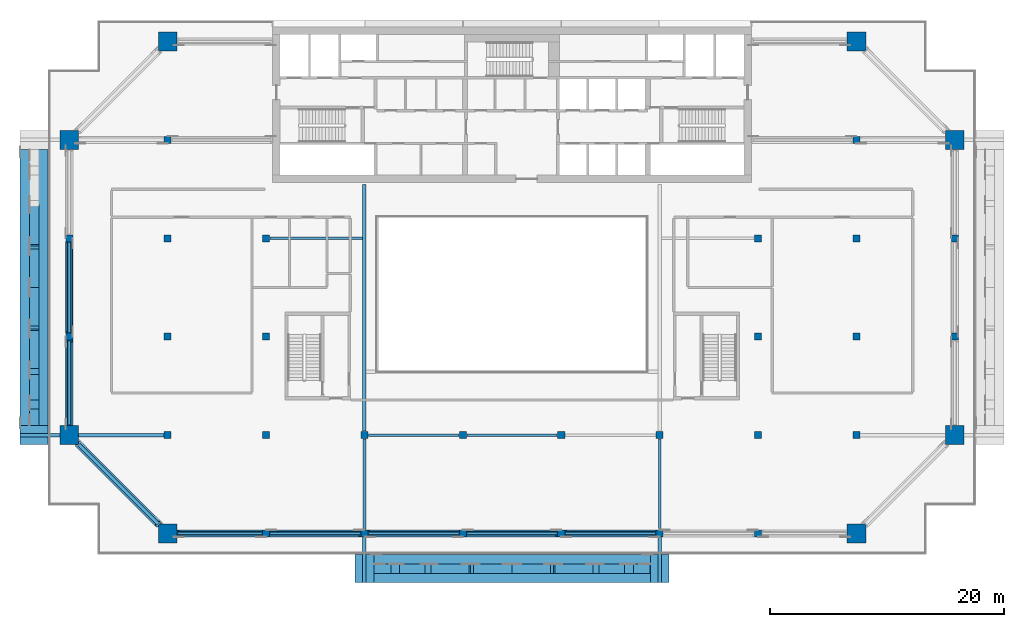
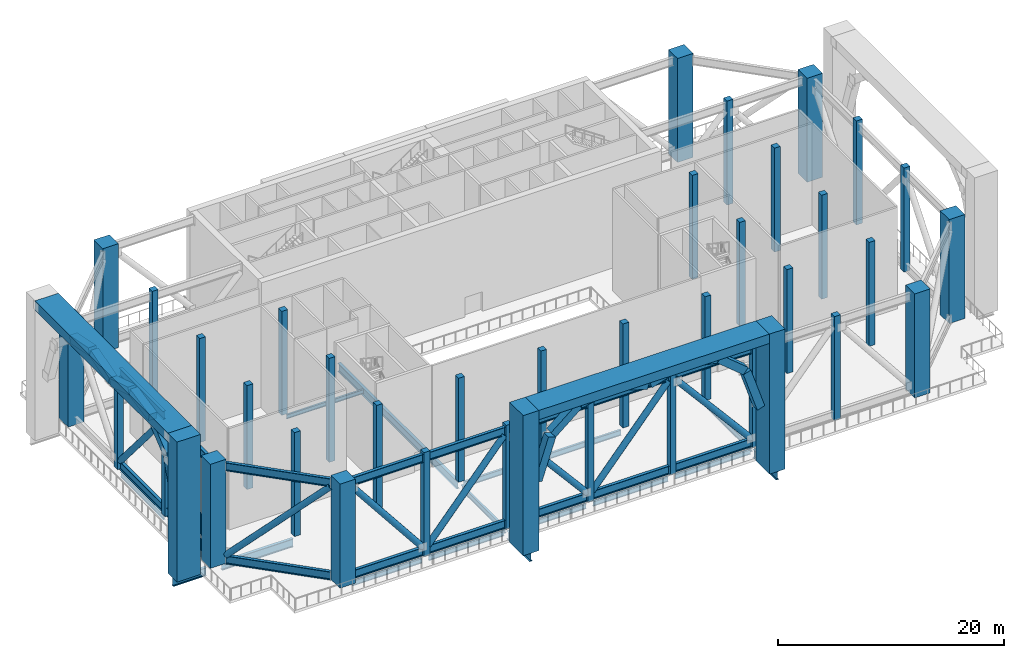
# One storey, part 1 of 19: 43 members, 36 columns, 17 beams.
"""IFC4 building model written with IfcOpenShell, lengths in metres."""

from ifc_helpers import new_model, si_unit, direction, frame, origin, origin_2d, place, context, subcontext, project, spatial, rectangle, hollow_circle, i_section, extrude, material, material_profile, profile_set, type_object, element, save


model = new_model("IFC4")

# Units and contexts
model_context = context("Model", 3, precision=1e-05, world=origin(), true_north=direction((0.0, 1.0)))
body_context = subcontext(model_context, "Body", "Model", "MODEL_VIEW")
ifc_project = project(units=[si_unit("LENGTHUNIT", "METRE"), si_unit("AREAUNIT", "SQUARE_METRE"), si_unit("VOLUMEUNIT", "CUBIC_METRE"), si_unit("PLANEANGLEUNIT", "RADIAN"), si_unit("MASSUNIT", "GRAM", prefix="KILO")], contexts=[model_context])

# Site, building, storey
site_placement = place(None, origin())
site = spatial("IfcSite", under=ifc_project, at=site_placement, CompositionType="ELEMENT")
building_placement = place(site_placement, origin())
building = spatial("IfcBuilding", under=site, at=building_placement, Name="Saffron Gate Tower", CompositionType="ELEMENT")
storey_placement = place(building_placement, frame((0.0, 0.0, 194.25)))
storey = spatial("IfcBuildingStorey", under=building, at=storey_placement, Name="L48", CompositionType="ELEMENT", Elevation=194.25)

# Columns
ifc_material_1 = material(Name="Concrete C50", Category="concrete")
ifc_material_profile_1 = material_profile(ifc_material_1, rectangle(XDim=0.60009765625, YDim=0.60009765625, at=origin_2d()))
ifc_profile_set_1 = profile_set([ifc_material_profile_1], Name="Concrete C50")
column_type_1 = type_object("IfcColumnType", Name="C2 RC 600x600 CONCRETE C50", PredefinedType="COLUMN", material=ifc_profile_set_1)
for number, where, z_axis, x_axis, name in (
    (1, (49.800048828125, 48.60009765625, 0.0), (0.0, 0.0, 1.0), (1.0, 0.0, 0.0), "C2 COLUMN X1-C"),
    (2, (49.800048828125, 57.0, 0.0), (0.0, 0.0, 1.0), (1.0, 0.0, 0.0), "C2 COLUMN X1-D"),
    (3, (58.199951171875, 40.199951171875, 0.0), (0.0, 0.0, 1.0), (1.0, 0.0, 0.0), "C2 COLUMN X2-B"),
    (4, (58.199951171875, 48.60009765625, 0.0), (0.0, 0.0, 1.0), (1.0, 0.0, 0.0), "C2 COLUMN X2-C"),
    (5, (58.199951171875, 57.0, 0.0), (0.0, 0.0, 1.0), (1.0, 0.0, 0.0), "C2 COLUMN X2-D"),
    (6, (58.199951171875, 65.39990234375, 0.0), (0.0, 0.0, 1.0), (1.0, 0.0, 0.0), "C2 COLUMN X2-E"),
    (7, (66.60009765625, 31.800048828125, 0.0), (0.0, 0.0, 1.0), (1.0, 0.0, 0.0), "C2 COLUMN X3-A"),
    (8, (66.60009765625, 40.199951171875, 0.0), (0.0, 0.0, 1.0), (1.0, 0.0, 0.0), "C2 COLUMN X3-B"),
    (9, (66.60009765625, 48.60009765625, 0.0), (0.0, 0.0, 1.0), (1.0, 0.0, 0.0), "C2 COLUMN X3-C"),
    (10, (66.60009765625, 57.0, 0.0), (0.0, 0.0, 1.0), (1.0, 0.0, 0.0), "C2 COLUMN X3-D"),
    (11, (75.0, 31.800048828125, 0.0), (0.0, 0.0, 1.0), (1.0, 0.0, 0.0), "C2 COLUMN X4-A"),
    (12, (75.0, 40.199951171875, 0.0), (0.0, 0.0, 1.0), (1.0, 0.0, 0.0), "C2 COLUMN X4-B"),
    (13, (83.39990234375, 31.800048828125, 0.0), (0.0, 0.0, 1.0), (1.0, 0.0, 0.0), "C2 COLUMN X5-A"),
    (14, (83.39990234375, 40.199951171875, 0.0), (0.0, 0.0, 1.0), (1.0, 0.0, 0.0), "C2 COLUMN X5-B"),
    (15, (91.800048828125, 31.800048828125, 0.0), (0.0, 0.0, 1.0), (1.0, 0.0, 0.0), "C2 COLUMN X6-A"),
    (16, (91.800048828125, 40.199951171875, 0.0), (0.0, 0.0, 1.0), (1.0, 0.0, 0.0), "C2 COLUMN X6-B"),
    (17, (100.199951171875, 31.800048828125, 0.0), (0.0, 0.0, 1.0), (1.0, 0.0, 0.0), "C2 COLUMN X7-A"),
    (18, (100.199951171875, 40.199951171875, 0.0), (0.0, 0.0, 1.0), (1.0, 0.0, 0.0), "C2 COLUMN X7-B"),
    (19, (108.60009765625, 31.800048828125, 0.0), (0.0, 0.0, 1.0), (1.0, 0.0, 0.0), "C2 COLUMN X8-A"),
    (20, (108.60009765625, 40.199951171875, 0.0), (0.0, 0.0, 1.0), (1.0, 0.0, 0.0), "C2 COLUMN X8-B"),
    (21, (108.60009765625, 48.60009765625, 0.0), (0.0, 0.0, 1.0), (1.0, 0.0, 0.0), "C2 COLUMN X8-C"),
    (22, (108.60009765625, 57.0, 0.0), (0.0, 0.0, 1.0), (1.0, 0.0, 0.0), "C2 COLUMN X8-D"),
    (23, (117.0, 40.199951171875, 0.0), (0.0, 0.0, 1.0), (1.0, 0.0, 0.0), "C2 COLUMN X9-B"),
    (24, (117.0, 48.60009765625, 0.0), (0.0, 0.0, 1.0), (1.0, 0.0, 0.0), "C2 COLUMN X9-C"),
    (25, (117.0, 57.0, 0.0), (0.0, 0.0, 1.0), (1.0, 0.0, 0.0), "C2 COLUMN X9-D"),
    (26, (117.0, 65.39990234375, 0.0), (0.0, 0.0, 1.0), (1.0, 0.0, 0.0), "C2 COLUMN X9-E"),
    (27, (125.39990234375, 48.60009765625, 0.0), (0.0, 0.0, 1.0), (1.0, 0.0, 0.0), "C2 COLUMN X10-C"),
    (28, (125.39990234375, 57.0, 0.0), (0.0, 0.0, 1.0), (1.0, 0.0, 0.0), "C2 COLUMN X10-D"),
):
    element("IfcColumn", number, at=place(storey_placement, frame(where, z_axis=z_axis, x_axis=x_axis)), inside=storey, type_object=column_type_1, Name=name, PredefinedType="COLUMN", context=body_context, shape_type="SweptSolid", body=[
        extrude(rectangle(XDim=0.60009765625, YDim=0.60009765625, at=origin_2d()), origin(), (0.0, 0.0, 1.0), 11.25),
    ])
ifc_material_2 = material(Name="Concrete C70", Category="concrete")
ifc_material_profile_2 = material_profile(ifc_material_2, rectangle(XDim=1.60009765625, YDim=1.60009765625, at=origin_2d()))
ifc_profile_set_2 = profile_set([ifc_material_profile_2], Name="Concrete C70")
column_type_2 = type_object("IfcColumnType", Name="MC1 RC 1600x1600 CONCRETE C70", PredefinedType="COLUMN", material=ifc_profile_set_2)
for number, where, z_axis, x_axis, name in (
    (29, (49.800048828125, 40.199951171875, 0.0), (0.0, 0.0, 1.0), (1.0, 0.0, 0.0), "MC1 MEGA COLUMN X1-B"),
    (30, (49.800048828125, 65.39990234375, 0.0), (0.0, 0.0, 1.0), (1.0, 0.0, 0.0), "MC1 MEGA COLUMN X1-E"),
    (31, (58.199951171875, 31.800048828125, 0.0), (0.0, 0.0, 1.0), (1.0, 0.0, 0.0), "MC1 MEGA COLUMN X2-A"),
    (32, (58.199951171875, 73.800048828125, 0.0), (0.0, 0.0, 1.0), (1.0, 0.0, 0.0), "MC1 MEGA COLUMN X2-F"),
    (33, (117.0, 31.800048828125, 0.0), (0.0, 0.0, 1.0), (1.0, 0.0, 0.0), "MC1 MEGA COLUMN X9-A"),
    (34, (117.0, 73.800048828125, 0.0), (0.0, 0.0, 1.0), (1.0, 0.0, 0.0), "MC1 MEGA COLUMN X9-F"),
    (35, (125.39990234375, 40.199951171875, 0.0), (0.0, 0.0, 1.0), (1.0, 0.0, 0.0), "MC1 MEGA COLUMN X10-B"),
    (36, (125.39990234375, 65.39990234375, 0.0), (0.0, 0.0, 1.0), (1.0, 0.0, 0.0), "MC1 MEGA COLUMN X10-E"),
):
    element("IfcColumn", number, at=place(storey_placement, frame(where, z_axis=z_axis, x_axis=x_axis)), inside=storey, type_object=column_type_2, Name=name, PredefinedType="COLUMN", context=body_context, shape_type="SweptSolid", body=[
        extrude(rectangle(XDim=1.60009765625, YDim=1.60009765625, at=origin_2d()), origin(), (0.0, 0.0, 1.0), 11.25),
    ])

# Beams
ifc_material_3 = material(Name="Structural steel S355", Category="steel")
ifc_material_profile_3 = material_profile(ifc_material_3, i_section(OverallWidth=0.199951171875, OverallDepth=0.5, WebThickness=0.01025390625, FlangeThickness=0.01611328125, FilletRadius=0.02099609375, at=origin_2d()))
ifc_profile_set_3 = profile_set([ifc_material_profile_3], Name="Structural steel S355")
beam_type_1 = type_object("IfcBeamType", Name="B11 IPE 500", PredefinedType="SPANDREL", material=ifc_profile_set_3)
beam_1_placement = place(storey_placement, frame((49.800048828125, 41.10009765625, -0.550048828125), z_axis=(0.0, 1.0, 0.0), x_axis=(-1.0, 0.0, 0.0)))
element("IfcBeam", 37, at=beam_1_placement, inside=storey, type_object=beam_type_1, Name="B11 SPANDREL BEAM", PredefinedType="SPANDREL", context=body_context, shape_type="SweptSolid", body=[
    extrude(i_section(OverallWidth=0.199951171875, OverallDepth=0.5, WebThickness=0.01025390625, FlangeThickness=0.01611328125, FilletRadius=0.02099609375, at=origin_2d()), origin(), (0.0, 0.0, 1.0), 7.14990234375),
])
beam_2_placement = place(storey_placement, frame((49.800048828125, 48.949951171875, -0.550048828125), z_axis=(0.0, 1.0, 0.0), x_axis=(-1.0, 0.0, 0.0)))
element("IfcBeam", 38, at=beam_2_placement, inside=storey, type_object=beam_type_1, Name="B11 SPANDREL BEAM", PredefinedType="SPANDREL", context=body_context, shape_type="SweptSolid", body=[
    extrude(i_section(OverallWidth=0.199951171875, OverallDepth=0.5, WebThickness=0.01025390625, FlangeThickness=0.01611328125, FilletRadius=0.02099609375, at=origin_2d()), origin(), (0.0, 0.0, 1.0), 7.699951171875),
])
beam_3_placement = place(storey_placement, frame((59.10009765625, 31.800048828125, -0.550048828125), z_axis=(1.0, 0.0, 0.0), x_axis=(0.0, 1.0, 0.0)))
element("IfcBeam", 39, at=beam_3_placement, inside=storey, type_object=beam_type_1, Name="B11 SPANDREL BEAM", PredefinedType="SPANDREL", context=body_context, shape_type="SweptSolid", body=[
    extrude(i_section(OverallWidth=0.199951171875, OverallDepth=0.5, WebThickness=0.01025390625, FlangeThickness=0.01611328125, FilletRadius=0.02099609375, at=origin_2d()), origin(), (0.0, 0.0, 1.0), 7.14990234375),
])
for number, where, z_axis, x_axis, name in (
    (40, (66.949951171875, 31.800048828125, -0.550048828125), (1.0, 0.0, 0.0), (0.0, 1.0, 0.0), "B11 SPANDREL BEAM"),
    (41, (75.35009765625, 31.800048828125, -0.550048828125), (1.0, 0.0, 0.0), (0.0, 1.0, 0.0), "B11 SPANDREL BEAM"),
    (42, (83.75, 31.800048828125, -0.550048828125), (1.0, 0.0, 0.0), (0.0, 1.0, 0.0), "B11 SPANDREL BEAM"),
):
    element("IfcBeam", number, at=place(storey_placement, frame(where, z_axis=z_axis, x_axis=x_axis)), inside=storey, type_object=beam_type_1, Name=name, PredefinedType="SPANDREL", context=body_context, shape_type="SweptSolid", body=[
        extrude(i_section(OverallWidth=0.199951171875, OverallDepth=0.5, WebThickness=0.01025390625, FlangeThickness=0.01611328125, FilletRadius=0.02099609375, at=origin_2d()), origin(), (0.0, 0.0, 1.0), 7.699951171875),
    ])
beam_4_placement = place(storey_placement, frame((92.14990234375, 31.800048828125, -0.550048828125), z_axis=(1.0, 0.0, 0.0), x_axis=(0.0, 1.0, 0.0)))
element("IfcBeam", 43, at=beam_4_placement, inside=storey, type_object=beam_type_1, Name="B11 SPANDREL BEAM", PredefinedType="SPANDREL", context=body_context, shape_type="SweptSolid", body=[
    extrude(i_section(OverallWidth=0.199951171875, OverallDepth=0.5, WebThickness=0.01025390625, FlangeThickness=0.01611328125, FilletRadius=0.02099609375, at=origin_2d()), origin(), (0.0, 0.0, 1.0), 7.7001953125),
])
ifc_material_profile_4 = material_profile(ifc_material_3, i_section(OverallWidth=0.219970703125, OverallDepth=0.60009765625, WebThickness=0.011962890625, FlangeThickness=0.01904296875, FilletRadius=0.02392578125, at=origin_2d()))
ifc_profile_set_4 = profile_set([ifc_material_profile_4], Name="Structural steel S355")
beam_type_2 = type_object("IfcBeamType", Name="B15 IPE 600", PredefinedType="BEAM", material=ifc_profile_set_4)
for number, where, z_axis, x_axis, name in (
    (44, (75.0, 32.14990234375, -0.60009765625), (0.0, 1.0, 0.0), (-1.0, 0.0, 0.0), "B15 FLOOR GIRDER"),
    (45, (100.199951171875, 32.14990234375, -0.60009765625), (0.0, 1.0, 0.0), (-1.0, 0.0, 0.0), "B15 FLOOR GIRDER"),
):
    element("IfcBeam", number, at=place(storey_placement, frame(where, z_axis=z_axis, x_axis=x_axis)), inside=storey, type_object=beam_type_2, Name=name, PredefinedType="BEAM", context=body_context, shape_type="SweptSolid", body=[
        extrude(i_section(OverallWidth=0.219970703125, OverallDepth=0.60009765625, WebThickness=0.011962890625, FlangeThickness=0.01904296875, FilletRadius=0.02392578125, at=origin_2d()), origin(), (0.0, 0.0, 1.0), 7.7001953125),
    ])
for number, where, z_axis, x_axis, name in (
    (46, (75.35009765625, 40.199951171875, -0.60009765625), (1.0, 0.0, 0.0), (0.0, 1.0, 0.0), "B15 FLOOR GIRDER"),
    (47, (83.75, 40.199951171875, -0.60009765625), (1.0, 0.0, 0.0), (0.0, 1.0, 0.0), "B15 FLOOR GIRDER"),
):
    element("IfcBeam", number, at=place(storey_placement, frame(where, z_axis=z_axis, x_axis=x_axis)), inside=storey, type_object=beam_type_2, Name=name, PredefinedType="BEAM", context=body_context, shape_type="SweptSolid", body=[
        extrude(i_section(OverallWidth=0.219970703125, OverallDepth=0.60009765625, WebThickness=0.011962890625, FlangeThickness=0.01904296875, FilletRadius=0.02392578125, at=origin_2d()), origin(), (0.0, 0.0, 1.0), 7.699951171875),
    ])
ifc_material_profile_5 = material_profile(ifc_material_3, i_section(OverallWidth=0.300048828125, OverallDepth=0.889892578125, WebThickness=0.01611328125, FlangeThickness=0.030029296875, FilletRadius=0.030029296875, at=origin_2d()))
ifc_profile_set_5 = profile_set([ifc_material_profile_5], Name="Structural steel S355")
beam_type_3 = type_object("IfcBeamType", Name="B19 HEA 900", PredefinedType="BEAM", material=ifc_profile_set_5)
beam_5_placement = place(storey_placement, frame((75.0, 40.550048828125, -0.7451171875), z_axis=(0.0, 1.0, 0.0), x_axis=(-1.0, 0.0, 0.0)))
element("IfcBeam", 48, at=beam_5_placement, inside=storey, type_object=beam_type_3, Name="B19 ATRIUM GIRDER", PredefinedType="BEAM", context=body_context, shape_type="SweptSolid", body=[
    extrude(i_section(OverallWidth=0.300048828125, OverallDepth=0.889892578125, WebThickness=0.01611328125, FlangeThickness=0.030029296875, FilletRadius=0.030029296875, at=origin_2d()), origin(), (0.0, 0.0, 1.0), 21.050048828125),
])
ifc_material_profile_6 = material_profile(ifc_material_3, i_section(OverallWidth=0.18994140625, OverallDepth=0.449951171875, WebThickness=0.009521484375, FlangeThickness=0.0146484375, FilletRadius=0.02099609375, at=origin_2d()))
ifc_profile_set_6 = profile_set([ifc_material_profile_6], Name="Structural steel S355")
beam_type_4 = type_object("IfcBeamType", Name="B6 IPE 450", PredefinedType="BEAM", material=ifc_profile_set_6)
beam_6_placement = place(storey_placement, frame((66.949951171875, 57.0, -0.52490234375), z_axis=(1.0, 0.0, 0.0), x_axis=(0.0, 1.0, 0.0)))
element("IfcBeam", 49, at=beam_6_placement, inside=storey, type_object=beam_type_4, Name="B6 CORE TIE BEAM", PredefinedType="BEAM", context=body_context, shape_type="SweptSolid", body=[
    extrude(i_section(OverallWidth=0.18994140625, OverallDepth=0.449951171875, WebThickness=0.009521484375, FlangeThickness=0.0146484375, FilletRadius=0.02099609375, at=origin_2d()), origin(), (0.0, 0.0, 1.0), 7.900146484375),
])

# Members
ifc_material_profile_7 = material_profile(ifc_material_3, i_section(OverallWidth=0.300048828125, OverallDepth=0.89990234375, WebThickness=0.0185546875, FlangeThickness=0.034912109375, FilletRadius=0.030029296875, at=origin_2d()))
ifc_profile_set_7 = profile_set([ifc_material_profile_7], Name="Structural steel S355")
member_type_1 = type_object("IfcMemberType", Name="BT3 HEB 900", PredefinedType="CHORD", material=ifc_profile_set_7)
for number, where, z_axis, x_axis, name in (
    (50, (49.800048828125, 41.0, 10.52001953125), (0.0, 1.0, 0.0), (-1.0, 0.0, 0.0), "BT3 BELT TRUSS TOP CHORD"),
    (51, (49.800048828125, 41.0, 0.449951171875), (0.0, 1.0, 0.0), (-1.0, 0.0, 0.0), "BT3 BELT TRUSS BOTTOM CHORD"),
):
    element("IfcMember", number, at=place(storey_placement, frame(where, z_axis=z_axis, x_axis=x_axis)), inside=storey, type_object=member_type_1, Name=name, PredefinedType="CHORD", context=body_context, shape_type="SweptSolid", body=[
        extrude(i_section(OverallWidth=0.300048828125, OverallDepth=0.89990234375, WebThickness=0.0185546875, FlangeThickness=0.034912109375, FilletRadius=0.030029296875, at=origin_2d()), origin(), (0.0, 0.0, 1.0), 7.300048828125),
    ])
for number, where, z_axis, x_axis, name in (
    (52, (49.800048828125, 48.89990234375, 10.52001953125), (0.0, 1.0, 0.0), (-1.0, 0.0, 0.0), "BT3 BELT TRUSS TOP CHORD"),
    (53, (49.800048828125, 48.89990234375, 0.449951171875), (0.0, 1.0, 0.0), (-1.0, 0.0, 0.0), "BT3 BELT TRUSS BOTTOM CHORD"),
):
    element("IfcMember", number, at=place(storey_placement, frame(where, z_axis=z_axis, x_axis=x_axis)), inside=storey, type_object=member_type_1, Name=name, PredefinedType="CHORD", context=body_context, shape_type="SweptSolid", body=[
        extrude(i_section(OverallWidth=0.300048828125, OverallDepth=0.89990234375, WebThickness=0.0185546875, FlangeThickness=0.034912109375, FilletRadius=0.030029296875, at=origin_2d()), origin(), (0.0, 0.0, 1.0), 7.800048828125),
    ])
for number, where, z_axis, x_axis, name in (
    (54, (59.0, 31.800048828125, 10.52001953125), (1.0, 0.0, 0.0), (0.0, 1.0, 0.0), "BT3 BELT TRUSS TOP CHORD"),
    (55, (59.0, 31.800048828125, 0.449951171875), (1.0, 0.0, 0.0), (0.0, 1.0, 0.0), "BT3 BELT TRUSS BOTTOM CHORD"),
):
    element("IfcMember", number, at=place(storey_placement, frame(where, z_axis=z_axis, x_axis=x_axis)), inside=storey, type_object=member_type_1, Name=name, PredefinedType="CHORD", context=body_context, shape_type="SweptSolid", body=[
        extrude(i_section(OverallWidth=0.300048828125, OverallDepth=0.89990234375, WebThickness=0.0185546875, FlangeThickness=0.034912109375, FilletRadius=0.030029296875, at=origin_2d()), origin(), (0.0, 0.0, 1.0), 7.300048828125),
    ])
for number, where, z_axis, x_axis, name in (
    (56, (66.89990234375, 31.800048828125, 10.52001953125), (1.0, 0.0, 0.0), (0.0, 1.0, 0.0), "BT3 BELT TRUSS TOP CHORD"),
    (57, (66.89990234375, 31.800048828125, 0.449951171875), (1.0, 0.0, 0.0), (0.0, 1.0, 0.0), "BT3 BELT TRUSS BOTTOM CHORD"),
    (58, (75.300048828125, 31.800048828125, 10.52001953125), (1.0, 0.0, 0.0), (0.0, 1.0, 0.0), "BT3 BELT TRUSS TOP CHORD"),
    (59, (75.300048828125, 31.800048828125, 0.449951171875), (1.0, 0.0, 0.0), (0.0, 1.0, 0.0), "BT3 BELT TRUSS BOTTOM CHORD"),
    (60, (83.699951171875, 31.800048828125, 10.52001953125), (1.0, 0.0, 0.0), (0.0, 1.0, 0.0), "BT3 BELT TRUSS TOP CHORD"),
    (61, (83.699951171875, 31.800048828125, 0.449951171875), (1.0, 0.0, 0.0), (0.0, 1.0, 0.0), "BT3 BELT TRUSS BOTTOM CHORD"),
):
    element("IfcMember", number, at=place(storey_placement, frame(where, z_axis=z_axis, x_axis=x_axis)), inside=storey, type_object=member_type_1, Name=name, PredefinedType="CHORD", context=body_context, shape_type="SweptSolid", body=[
        extrude(i_section(OverallWidth=0.300048828125, OverallDepth=0.89990234375, WebThickness=0.0185546875, FlangeThickness=0.034912109375, FilletRadius=0.030029296875, at=origin_2d()), origin(), (0.0, 0.0, 1.0), 7.800048828125),
    ])
for number, where, z_axis, x_axis, name in (
    (62, (92.10009765625, 31.800048828125, 10.52001953125), (1.0, 0.0, 0.0), (0.0, 1.0, 0.0), "BT3 BELT TRUSS TOP CHORD"),
    (63, (92.10009765625, 31.800048828125, 0.449951171875), (1.0, 0.0, 0.0), (0.0, 1.0, 0.0), "BT3 BELT TRUSS BOTTOM CHORD"),
):
    element("IfcMember", number, at=place(storey_placement, frame(where, z_axis=z_axis, x_axis=x_axis)), inside=storey, type_object=member_type_1, Name=name, PredefinedType="CHORD", context=body_context, shape_type="SweptSolid", body=[
        extrude(i_section(OverallWidth=0.300048828125, OverallDepth=0.89990234375, WebThickness=0.0185546875, FlangeThickness=0.034912109375, FilletRadius=0.030029296875, at=origin_2d()), origin(), (0.0, 0.0, 1.0), 7.7998046875),
    ])
for number, where, z_axis, x_axis, name in (
    (64, (57.39990234375, 32.60009765625, 10.52001953125), (-0.707106781187, 0.707106781187, 0.0), (-0.707106781187, -0.707106781187, 0.0), "BT3 BELT TRUSS TOP CHORD"),
    (65, (57.39990234375, 32.60009765625, 0.449951171875), (-0.707106781187, 0.707106781187, 0.0), (-0.707106781187, -0.707106781187, 0.0), "BT3 BELT TRUSS BOTTOM CHORD"),
):
    element("IfcMember", number, at=place(storey_placement, frame(where, z_axis=z_axis, x_axis=x_axis)), inside=storey, type_object=member_type_1, Name=name, PredefinedType="CHORD", context=body_context, shape_type="SweptSolid", body=[
        extrude(i_section(OverallWidth=0.300048828125, OverallDepth=0.89990234375, WebThickness=0.0185546875, FlangeThickness=0.034912109375, FilletRadius=0.030029296875, at=origin_2d()), origin(), (0.0, 0.0, 1.0), 9.616455078125),
    ])
ifc_material_profile_8 = material_profile(ifc_material_3, hollow_circle(Radius=0.304931640625, WallThickness=0.02001953125, at=origin_2d()))
ifc_profile_set_8 = profile_set([ifc_material_profile_8], Name="Structural steel S355")
member_type_2 = type_object("IfcMemberType", Name="BT6 CHS 610x20", PredefinedType="BRACE", material=ifc_profile_set_8)
member_1_placement = place(storey_placement, frame((49.800048828125, 41.0, 0.89990234375), z_axis=(0.0, 0.622816067841, 0.782368292839), x_axis=(-1.0, 0.0, 0.0)))
element("IfcMember", 66, at=member_1_placement, inside=storey, type_object=member_type_2, Name="BT6 BELT TRUSS DIAGONAL", PredefinedType="BRACE", context=body_context, shape_type="SweptSolid", body=[
    extrude(hollow_circle(Radius=0.304931640625, WallThickness=0.02001953125, at=origin_2d()), origin(), (0.0, 0.0, 1.0), 11.720947265625),
])
member_2_placement = place(storey_placement, frame((49.800048828125, 56.699951171875, 0.89990234375), z_axis=(0.0, -0.647909160404, 0.761717611629), x_axis=(1.0, 0.0, 0.0)))
element("IfcMember", 67, at=member_2_placement, inside=storey, type_object=member_type_2, Name="BT6 BELT TRUSS DIAGONAL", PredefinedType="BRACE", context=body_context, shape_type="SweptSolid", body=[
    extrude(hollow_circle(Radius=0.304931640625, WallThickness=0.02001953125, at=origin_2d()), origin(), (0.0, 0.0, 1.0), 12.038818359375),
])
member_3_placement = place(storey_placement, frame((66.300048828125, 31.800048828125, 0.89990234375), z_axis=(-0.622816067841, 0.0, 0.782368292839), x_axis=(0.0, -1.0, 0.0)))
element("IfcMember", 68, at=member_3_placement, inside=storey, type_object=member_type_2, Name="BT6 BELT TRUSS DIAGONAL", PredefinedType="BRACE", context=body_context, shape_type="SweptSolid", body=[
    extrude(hollow_circle(Radius=0.304931640625, WallThickness=0.02001953125, at=origin_2d()), origin(), (0.0, 0.0, 1.0), 11.720947265625),
])
for number, where, z_axis, x_axis, name in (
    (69, (66.89990234375, 31.800048828125, 0.89990234375), (0.647909160404, 0.0, 0.761717611629), (0.0, 1.0, 0.0), "BT6 BELT TRUSS DIAGONAL"),
    (70, (83.10009765625, 31.800048828125, 0.89990234375), (-0.647909160404, 0.0, 0.761717611629), (0.0, -1.0, 0.0), "BT6 BELT TRUSS DIAGONAL"),
    (71, (83.699951171875, 31.800048828125, 0.89990234375), (0.647909160404, 0.0, 0.761717611629), (0.0, 1.0, 0.0), "BT6 BELT TRUSS DIAGONAL"),
):
    element("IfcMember", number, at=place(storey_placement, frame(where, z_axis=z_axis, x_axis=x_axis)), inside=storey, type_object=member_type_2, Name=name, PredefinedType="BRACE", context=body_context, shape_type="SweptSolid", body=[
        extrude(hollow_circle(Radius=0.304931640625, WallThickness=0.02001953125, at=origin_2d()), origin(), (0.0, 0.0, 1.0), 12.038818359375),
    ])
member_4_placement = place(storey_placement, frame((99.89990234375, 31.800048828125, 0.89990234375), z_axis=(-0.647897393738, 0.0, 0.761727620076), x_axis=(0.0, -1.0, 0.0)))
element("IfcMember", 72, at=member_4_placement, inside=storey, type_object=member_type_2, Name="BT6 BELT TRUSS DIAGONAL", PredefinedType="BRACE", context=body_context, shape_type="SweptSolid", body=[
    extrude(hollow_circle(Radius=0.304931640625, WallThickness=0.02001953125, at=origin_2d()), origin(), (0.0, 0.0, 1.0), 12.03857421875),
])
member_5_placement = place(storey_placement, frame((50.60009765625, 39.39990234375, 0.89990234375), z_axis=(0.511731465301, -0.511731465301, 0.69011724717), x_axis=(0.707106781187, 0.707106781187, 0.0)))
element("IfcMember", 73, at=member_5_placement, inside=storey, type_object=member_type_2, Name="BT6 BELT TRUSS DIAGONAL", PredefinedType="BRACE", context=body_context, shape_type="SweptSolid", body=[
    extrude(hollow_circle(Radius=0.304931640625, WallThickness=0.02001953125, at=origin_2d()), origin(), (0.0, 0.0, 1.0), 13.287841796875),
])
ifc_material_4 = material(Name="Concrete C60", Category="concrete")
ifc_material_profile_9 = material_profile(ifc_material_4, rectangle(XDim=0.800048828125, YDim=0.800048828125, at=origin_2d()))
ifc_profile_set_9 = profile_set([ifc_material_profile_9], Name="Concrete C60")
member_type_3 = type_object("IfcMemberType", Name="PA1 RC 800x800", PredefinedType="BRACE", material=ifc_profile_set_9)
member_6_placement = place(storey_placement, frame((76.199951171875, 28.800048828125, 6.517578125), z_axis=(0.311866101482, 0.0, 0.950126062555), x_axis=(0.0, 1.0, 0.0)))
element("IfcMember", 74, at=member_6_placement, inside=storey, type_object=member_type_3, Name="PA1 PISHTAQ ARCH", PredefinedType="BRACE", context=body_context, shape_type="SweptSolid", body=[
    extrude(rectangle(XDim=0.800048828125, YDim=0.800048828125, at=origin_2d()), origin(), (0.0, 0.0, 1.0), 4.571044921875),
])
member_7_placement = place(storey_placement, frame((77.750732421875, 28.800048828125, 11.044189453125), z_axis=(0.771329894849, 0.0, 0.636435537436), x_axis=(0.0, 1.0, 0.0)))
element("IfcMember", 75, at=member_7_placement, inside=storey, type_object=member_type_3, Name="PA1 PISHTAQ ARCH", PredefinedType="BRACE", context=body_context, shape_type="SweptSolid", body=[
    extrude(rectangle(XDim=0.800048828125, YDim=0.800048828125, at=origin_2d()), origin(), (0.0, 0.0, 1.0), 3.453125),
])
member_8_placement = place(storey_placement, frame((80.590576171875, 28.800048828125, 13.32568359375), z_axis=(0.98073469826, 0.0, 0.195344443559), x_axis=(0.0, 1.0, 0.0)))
element("IfcMember", 76, at=member_8_placement, inside=storey, type_object=member_type_3, Name="PA1 PISHTAQ ARCH", PredefinedType="BRACE", context=body_context, shape_type="SweptSolid", body=[
    extrude(rectangle(XDim=0.800048828125, YDim=0.800048828125, at=origin_2d()), origin(), (0.0, 0.0, 1.0), 3.46826171875),
])
for number, where, z_axis, x_axis, name in (
    (77, (84.18701171875, 28.800048828125, 13.993408203125), (0.956318022742, 0.0, -0.292328307522), (0.0, 1.0, 0.0), "PA1 PISHTAQ ARCH"),
    (78, (87.716796875, 28.800048828125, 12.98583984375), (0.956318022742, 0.0, 0.292328307522), (0.0, 1.0, 0.0), "PA1 PISHTAQ ARCH"),
):
    element("IfcMember", number, at=place(storey_placement, frame(where, z_axis=z_axis, x_axis=x_axis)), inside=storey, type_object=member_type_3, Name=name, PredefinedType="BRACE", context=body_context, shape_type="SweptSolid", body=[
        extrude(rectangle(XDim=0.800048828125, YDim=0.800048828125, at=origin_2d()), origin(), (0.0, 0.0, 1.0), 3.44677734375),
    ])
member_9_placement = place(storey_placement, frame((91.2080078125, 28.800048828125, 14.003173828125), z_axis=(0.98073469826, 0.0, -0.195344443559), x_axis=(0.0, 1.0, 0.0)))
element("IfcMember", 79, at=member_9_placement, inside=storey, type_object=member_type_3, Name="PA1 PISHTAQ ARCH", PredefinedType="BRACE", context=body_context, shape_type="SweptSolid", body=[
    extrude(rectangle(XDim=0.800048828125, YDim=0.800048828125, at=origin_2d()), origin(), (0.0, 0.0, 1.0), 3.46826171875),
])
member_10_placement = place(storey_placement, frame((94.785888671875, 28.800048828125, 13.241943359375), z_axis=(0.771301255722, 0.0, -0.636470245119), x_axis=(0.0, 1.0, 0.0)))
element("IfcMember", 80, at=member_10_placement, inside=storey, type_object=member_type_3, Name="PA1 PISHTAQ ARCH", PredefinedType="BRACE", context=body_context, shape_type="SweptSolid", body=[
    extrude(rectangle(XDim=0.800048828125, YDim=0.800048828125, at=origin_2d()), origin(), (0.0, 0.0, 1.0), 3.453125),
])
member_11_placement = place(storey_placement, frame((97.57470703125, 28.800048828125, 10.860595703125), z_axis=(0.311817884168, 0.0, -0.950141887885), x_axis=(0.0, 1.0, 0.0)))
element("IfcMember", 81, at=member_11_placement, inside=storey, type_object=member_type_3, Name="PA1 PISHTAQ ARCH", PredefinedType="BRACE", context=body_context, shape_type="SweptSolid", body=[
    extrude(rectangle(XDim=0.800048828125, YDim=0.800048828125, at=origin_2d()), origin(), (0.0, 0.0, 1.0), 4.57080078125),
])
member_12_placement = place(storey_placement, frame((46.800048828125, 41.39990234375, 6.517578125), z_axis=(0.0, 0.311866101482, 0.950126062555), x_axis=(-1.0, 0.0, 0.0)))
element("IfcMember", 82, at=member_12_placement, inside=storey, type_object=member_type_3, Name="PA1 PISHTAQ ARCH", PredefinedType="BRACE", context=body_context, shape_type="SweptSolid", body=[
    extrude(rectangle(XDim=0.800048828125, YDim=0.800048828125, at=origin_2d()), origin(), (0.0, 0.0, 1.0), 4.571044921875),
])
member_13_placement = place(storey_placement, frame((46.800048828125, 42.95068359375, 11.044189453125), z_axis=(0.0, 0.771329894849, 0.636435537436), x_axis=(-1.0, 0.0, 0.0)))
element("IfcMember", 83, at=member_13_placement, inside=storey, type_object=member_type_3, Name="PA1 PISHTAQ ARCH", PredefinedType="BRACE", context=body_context, shape_type="SweptSolid", body=[
    extrude(rectangle(XDim=0.800048828125, YDim=0.800048828125, at=origin_2d()), origin(), (0.0, 0.0, 1.0), 3.453125),
])
member_14_placement = place(storey_placement, frame((46.800048828125, 45.79052734375, 13.32568359375), z_axis=(0.0, 0.98073469826, 0.195344443559), x_axis=(-1.0, 0.0, 0.0)))
element("IfcMember", 84, at=member_14_placement, inside=storey, type_object=member_type_3, Name="PA1 PISHTAQ ARCH", PredefinedType="BRACE", context=body_context, shape_type="SweptSolid", body=[
    extrude(rectangle(XDim=0.800048828125, YDim=0.800048828125, at=origin_2d()), origin(), (0.0, 0.0, 1.0), 3.46826171875),
])
for number, where, z_axis, x_axis, name in (
    (85, (46.800048828125, 49.38720703125, 13.993408203125), (0.0, 0.956311969023, -0.292348110826), (-1.0, 0.0, 0.0), "PA1 PISHTAQ ARCH"),
    (86, (46.800048828125, 52.9169921875, 12.98583984375), (0.0, 0.956311969023, 0.292348110826), (-1.0, 0.0, 0.0), "PA1 PISHTAQ ARCH"),
):
    element("IfcMember", number, at=place(storey_placement, frame(where, z_axis=z_axis, x_axis=x_axis)), inside=storey, type_object=member_type_3, Name=name, PredefinedType="BRACE", context=body_context, shape_type="SweptSolid", body=[
        extrude(rectangle(XDim=0.800048828125, YDim=0.800048828125, at=origin_2d()), origin(), (0.0, 0.0, 1.0), 3.446533203125),
    ])
member_15_placement = place(storey_placement, frame((46.800048828125, 56.407958984375, 14.003173828125), z_axis=(0.0, 0.98073469826, -0.195344443559), x_axis=(-1.0, 0.0, 0.0)))
element("IfcMember", 87, at=member_15_placement, inside=storey, type_object=member_type_3, Name="PA1 PISHTAQ ARCH", PredefinedType="BRACE", context=body_context, shape_type="SweptSolid", body=[
    extrude(rectangle(XDim=0.800048828125, YDim=0.800048828125, at=origin_2d()), origin(), (0.0, 0.0, 1.0), 3.46826171875),
])
ifc_material_profile_10 = material_profile(ifc_material_4, rectangle(XDim=2.39990234375, YDim=1.0, at=origin_2d()))
ifc_profile_set_10 = profile_set([ifc_material_profile_10], Name="Concrete C60")
member_type_4 = type_object("IfcMemberType", Name="PK1 RC 2400x1000", PredefinedType="BRACE", material=ifc_profile_set_10)
member_16_placement = place(storey_placement, frame((75.800048828125, 28.800048828125, 14.35009765625), z_axis=(1.0, 0.0, 0.0), x_axis=(0.0, 1.0, 0.0)))
element("IfcMember", 88, at=member_16_placement, inside=storey, type_object=member_type_4, Name="PK1 PISHTAQ CAP BEAM", PredefinedType="BRACE", context=body_context, shape_type="SweptSolid", body=[
    extrude(rectangle(XDim=2.39990234375, YDim=1.0, at=origin_2d()), origin(), (0.0, 0.0, 1.0), 23.599853515625),
])
member_17_placement = place(storey_placement, frame((46.800048828125, 41.0, 14.35009765625), z_axis=(0.0, 1.0, 0.0), x_axis=(-1.0, 0.0, 0.0)))
element("IfcMember", 89, at=member_17_placement, inside=storey, type_object=member_type_4, Name="PK1 PISHTAQ CAP BEAM", PredefinedType="BRACE", context=body_context, shape_type="SweptSolid", body=[
    extrude(rectangle(XDim=2.39990234375, YDim=1.0, at=origin_2d()), origin(), (0.0, 0.0, 1.0), 23.60009765625),
])
ifc_material_profile_11 = material_profile(ifc_material_4, rectangle(XDim=2.39990234375, YDim=1.60009765625, at=origin_2d()))
ifc_profile_set_11 = profile_set([ifc_material_profile_11], Name="Concrete C60")
member_type_5 = type_object("IfcMemberType", Name="PP1 RC 2400x1600", PredefinedType="POST", material=ifc_profile_set_11)
member_18_placement = place(storey_placement, frame((46.800048828125, 40.199951171875, -0.300048828125), z_axis=(0.0, 0.0, 1.0), x_axis=(1.0, 0.0, 0.0)))
element("IfcMember", 90, at=member_18_placement, inside=storey, type_object=member_type_5, Name="PP1 PISHTAQ PIER", PredefinedType="POST", context=body_context, shape_type="SweptSolid", body=[
    extrude(rectangle(XDim=2.39990234375, YDim=1.60009765625, at=origin_2d()), origin(), (0.0, 0.0, 1.0), 15.150146484375),
])
ifc_material_profile_12 = material_profile(ifc_material_4, rectangle(XDim=1.60009765625, YDim=2.39990234375, at=origin_2d()))
ifc_profile_set_12 = profile_set([ifc_material_profile_12], Name="Concrete C60")
member_type_6 = type_object("IfcMemberType", Name="PP2 RC 1600x2400", PredefinedType="POST", material=ifc_profile_set_12)
for number, where, z_axis, x_axis, name in (
    (91, (75.0, 28.800048828125, -0.300048828125), (0.0, 0.0, 1.0), (1.0, 0.0, 0.0), "PP2 PISHTAQ PIER"),
    (92, (100.199951171875, 28.800048828125, -0.300048828125), (0.0, 0.0, 1.0), (1.0, 0.0, 0.0), "PP2 PISHTAQ PIER"),
):
    element("IfcMember", number, at=place(storey_placement, frame(where, z_axis=z_axis, x_axis=x_axis)), inside=storey, type_object=member_type_6, Name=name, PredefinedType="POST", context=body_context, shape_type="SweptSolid", body=[
        extrude(rectangle(XDim=1.60009765625, YDim=2.39990234375, at=origin_2d()), origin(), (0.0, 0.0, 1.0), 15.150146484375),
    ])

# Beams
ifc_material_profile_13 = material_profile(ifc_material_3, i_section(OverallWidth=0.300048828125, OverallDepth=0.889892578125, WebThickness=0.01611328125, FlangeThickness=0.030029296875, FilletRadius=0.030029296875, at=origin_2d()))
ifc_profile_set_13 = profile_set([ifc_material_profile_13], Name="Structural steel S355")
beam_type_5 = type_object("IfcBeamType", Name="PQ1 HEA 900", PredefinedType="BEAM", material=ifc_profile_set_13)
for number, where, z_axis, x_axis, name in (
    (93, (75.0, 27.60009765625, -0.7451171875), (0.0, 1.0, 0.0), (-1.0, 0.0, 0.0), "PQ1 PISHTAQ PIER BEAM"),
    (94, (100.199951171875, 27.60009765625, -0.7451171875), (0.0, 1.0, 0.0), (-1.0, 0.0, 0.0), "PQ1 PISHTAQ PIER BEAM"),
):
    element("IfcBeam", number, at=place(storey_placement, frame(where, z_axis=z_axis, x_axis=x_axis)), inside=storey, type_object=beam_type_5, Name=name, PredefinedType="BEAM", context=body_context, shape_type="SweptSolid", body=[
        extrude(i_section(OverallWidth=0.300048828125, OverallDepth=0.889892578125, WebThickness=0.01611328125, FlangeThickness=0.030029296875, FilletRadius=0.030029296875, at=origin_2d()), origin(), (0.0, 0.0, 1.0), 4.099853515625),
    ])
beam_7_placement = place(storey_placement, frame((45.60009765625, 40.199951171875, -0.7451171875), z_axis=(1.0, 0.0, 0.0), x_axis=(0.0, 1.0, 0.0)))
element("IfcBeam", 95, at=beam_7_placement, inside=storey, type_object=beam_type_5, Name="PQ1 PISHTAQ PIER BEAM", PredefinedType="BEAM", context=body_context, shape_type="SweptSolid", body=[
    extrude(i_section(OverallWidth=0.300048828125, OverallDepth=0.889892578125, WebThickness=0.01611328125, FlangeThickness=0.030029296875, FilletRadius=0.030029296875, at=origin_2d()), origin(), (0.0, 0.0, 1.0), 3.39990234375),
])
beam_8_placement = place(storey_placement, frame((50.60009765625, 40.199951171875, -0.7451171875), z_axis=(1.0, 0.0, 0.0), x_axis=(0.0, 1.0, 0.0)))
element("IfcBeam", 96, at=beam_8_placement, inside=storey, type_object=beam_type_5, Name="PQ1 PISHTAQ PIER BEAM", PredefinedType="BEAM", context=body_context, shape_type="SweptSolid", body=[
    extrude(i_section(OverallWidth=0.300048828125, OverallDepth=0.889892578125, WebThickness=0.01611328125, FlangeThickness=0.030029296875, FilletRadius=0.030029296875, at=origin_2d()), origin(), (0.0, 0.0, 1.0), 7.2998046875),
])

save(model, "model.ifc")
